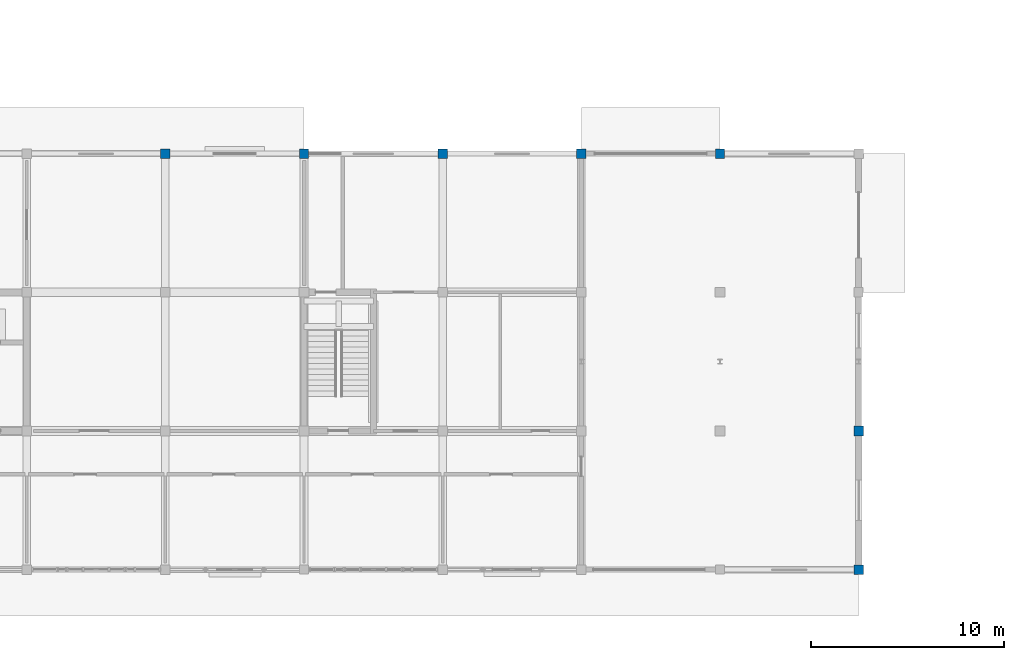
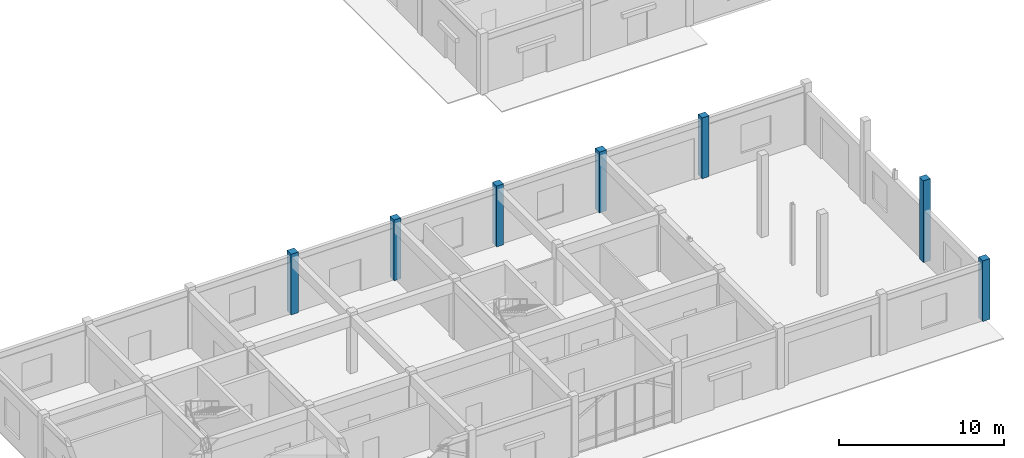
# One storey, part 4 of 138: 7 columns.
"""IFC4 building model written with IfcOpenShell, lengths in metres."""

from ifc_helpers import new_model, si_unit, direction, frame, origin, origin_2d, place, context, subcontext, project, spatial, rectangle, extrude, material, material_profile, profile_set, type_object, element, save


model = new_model("IFC4")

# Units and contexts
model_context = context("Model", 3, precision=1e-05, world=origin(), true_north=direction((0.0, 1.0)))
body_context = subcontext(model_context, "Body", "Model", "MODEL_VIEW")
ifc_project = project(units=[si_unit("LENGTHUNIT", "METRE"), si_unit("AREAUNIT", "SQUARE_METRE"), si_unit("VOLUMEUNIT", "CUBIC_METRE"), si_unit("PLANEANGLEUNIT", "RADIAN"), si_unit("MASSUNIT", "GRAM", prefix="KILO"), si_unit("THERMODYNAMICTEMPERATUREUNIT", "KELVIN"), si_unit("POWERUNIT", "WATT")], contexts=[model_context])

# Site, building, storey
site_placement = place(None, origin())
site = spatial("IfcSite", under=ifc_project, at=site_placement, CompositionType="ELEMENT")
building_placement = place(site_placement, origin())
building = spatial("IfcBuilding", under=site, at=building_placement, Name="Tavuni Mirador Residences", CompositionType="ELEMENT")
storey_placement = place(building_placement, origin())
storey = spatial("IfcBuildingStorey", under=building, at=storey_placement, Name="L00", CompositionType="ELEMENT", Elevation=0.0)

# Columns
ifc_material = material(Name="Precast concrete C40/50", Category="concrete")
ifc_material_profile_1 = material_profile(ifc_material, rectangle(XDim=0.47998046875, YDim=0.47998046875, at=origin_2d()), Name="CORAL 480x480", Category="concrete")
ifc_profile_set_1 = profile_set([ifc_material_profile_1], Name="Precast concrete C40/50")
column_type_1 = type_object("IfcColumnType", Name="CT-PIL480", PredefinedType="PILASTER", material=ifc_profile_set_1)
for number, where, z_axis, x_axis, name in (
    (1, (75.60009765625, 28.800048828125, 0.0), (0.0, 0.0, 1.0), (1.0, 0.0, 0.0), "COL-PAV-SHOP-L00-04-03"),
    (2, (97.199951171875, 28.800048828125, 0.0), (0.0, 0.0, 1.0), (1.0, 0.0, 0.0), "COL-PAV-SHOP-L00-07-03"),
):
    element("IfcColumn", number, at=place(storey_placement, frame(where, z_axis=z_axis, x_axis=x_axis)), inside=storey, type_object=column_type_1, Name=name, PredefinedType="PILASTER", context=body_context, shape_type="SweptSolid", body=[
        extrude(rectangle(XDim=0.47998046875, YDim=0.47998046875, at=origin_2d()), origin(), (0.0, 0.0, 1.0), 4.5),
    ])
ifc_material_profile_2 = material_profile(ifc_material, rectangle(XDim=0.5, YDim=0.5, at=origin_2d()), Name="RC 500x500", Category="concrete")
ifc_profile_set_2 = profile_set([ifc_material_profile_2], Name="Precast concrete C40/50")
column_type_2 = type_object("IfcColumnType", Name="CT-RC500", PredefinedType="COLUMN", material=ifc_profile_set_2)
for number, where, z_axis, x_axis, name in (
    (3, (68.39990234375, 28.800048828125, 0.0), (0.0, 0.0, 1.0), (1.0, 0.0, 0.0), "COL-PAV-SHOP-L00-03-03"),
    (4, (82.800048828125, 28.800048828125, 0.0), (0.0, 0.0, 1.0), (1.0, 0.0, 0.0), "COL-PAV-SHOP-L00-05-03"),
    (5, (90.0, 28.800048828125, 0.0), (0.0, 0.0, 1.0), (1.0, 0.0, 0.0), "COL-PAV-SHOP-L00-06-03"),
    (6, (104.39990234375, 7.199951171875, 0.0), (0.0, 0.0, 1.0), (1.0, 0.0, 0.0), "COL-PAV-SHOP-L00-08-00"),
):
    element("IfcColumn", number, at=place(storey_placement, frame(where, z_axis=z_axis, x_axis=x_axis)), inside=storey, type_object=column_type_2, Name=name, PredefinedType="COLUMN", context=body_context, shape_type="SweptSolid", body=[
        extrude(rectangle(XDim=0.5, YDim=0.5, at=origin_2d()), origin(), (0.0, 0.0, 1.0), 4.5),
    ])
column_placement = place(storey_placement, frame((104.39990234375, 14.39990234375, 0.0), z_axis=(0.0, 0.0, 1.0), x_axis=(1.0, 0.0, 0.0)))
element("IfcColumn", 7, at=column_placement, inside=storey, type_object=column_type_2, Name="COL-PAV-SHOP-L00-08-01", PredefinedType="COLUMN", context=body_context, shape_type="SweptSolid", body=[
    extrude(rectangle(XDim=0.5, YDim=0.5, at=origin_2d()), origin(), (0.0, 0.0, 1.0), 6.066650390625),
])

save(model, "model.ifc")
